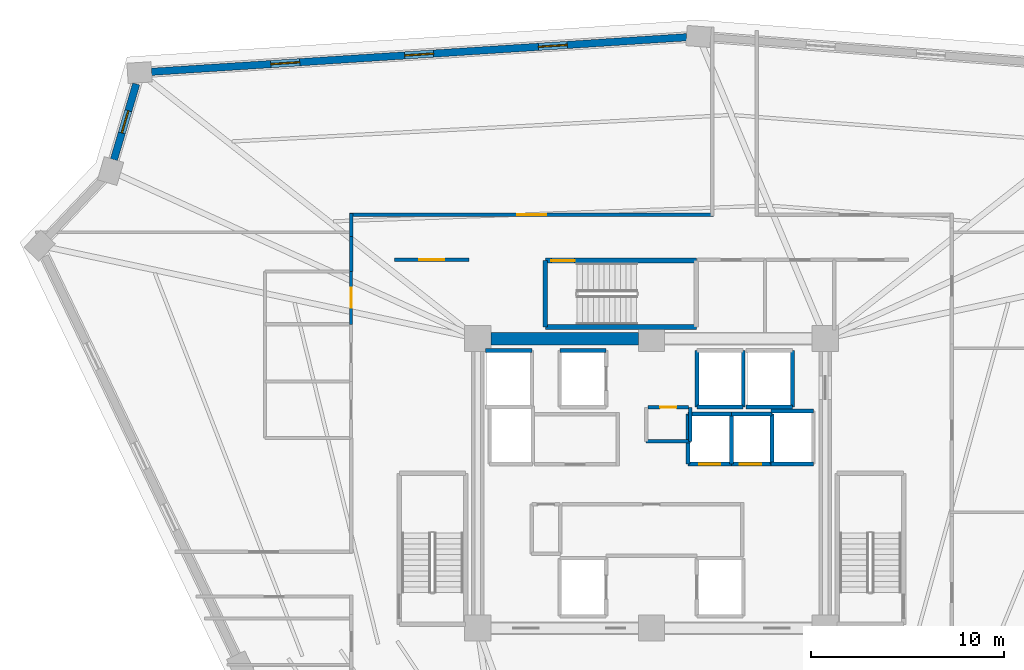
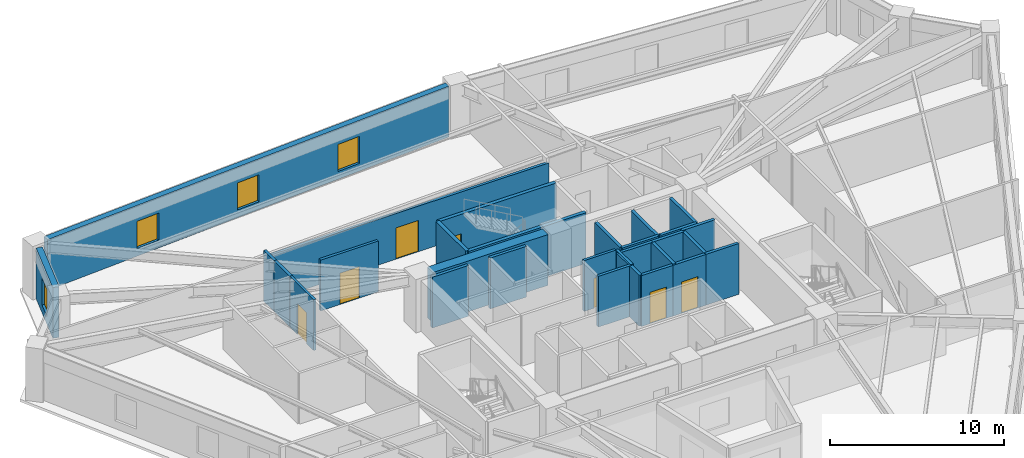
# One storey, part 5 of 9: 30 walls, 7 doors, 4 windows, 11 openings.
"""IFC4 building model written with IfcOpenShell, lengths in metres."""

import ifcopenshell
import ifcopenshell.guid

model = None  # the IFC model being written
_history = None  # IfcOwnerHistory: only IFC2X3 demands one
_inside = {}  # id of a spatial element -> (the spatial element, [elements in it])
_under = {}  # id of a project, library or spatial element -> (it, [spatial elements below it])
_declared = {}  # id of a project -> (the project, [libraries it declares])
_typed = {}  # id of a type object -> (the type object, [elements of that type])
_made_of = {}  # id of a material, layer set ... -> (it, [elements and type objects made of it])


def new_model(schema):
    """Start an empty IFC model of exactly this schema.

    Asked for "IFC4X3", IfcOpenShell would pick the latest addendum, in which some entities
    have other attributes; the version numbers below select the first issue.
    IFC2X3 requires an IfcOwnerHistory on every rooted entity: one is made here for all.
    """
    global model, _history
    if schema == "IFC4X3":
        model = ifcopenshell.file(schema_version=(4, 3, 0, 0))
    else:
        model = ifcopenshell.file(schema=schema)
    _inside.clear()
    _under.clear()
    _declared.clear()
    _typed.clear()
    _made_of.clear()
    _history = None
    if model.schema == "IFC2X3":
        org = make("IfcOrganization", Name="unknown")
        user = make(
            "IfcPersonAndOrganization",
            ThePerson=make("IfcPerson", FamilyName="unknown"),
            TheOrganization=org,
        )
        app = make(
            "IfcApplication",
            ApplicationDeveloper=org,
            Version="unknown",
            ApplicationFullName="unknown",
            ApplicationIdentifier="unknown",
        )
        _history = make(
            "IfcOwnerHistory",
            OwningUser=user,
            OwningApplication=app,
            ChangeAction="ADDED",
            CreationDate=0,
        )
    return model


def make(cls, **values):
    """One entity of the class cls with the attributes given. An attribute that is None is left unset."""
    return model.create_entity(
        cls, **{name: value for name, value in values.items() if value is not None}
    )


def rooted(cls, **values):
    """An entity with a GlobalId (a new one), such as an element, a storey or a relation."""
    return make(cls, GlobalId=ifcopenshell.guid.new(), OwnerHistory=_history, **values)


def si_unit(unit_type, name, prefix=None):
    """IfcSIUnit, for example si_unit("LENGTHUNIT", "METRE", prefix="MILLI")."""
    return make("IfcSIUnit", UnitType=unit_type, Prefix=prefix, Name=name)


def assignment(units):
    """IfcUnitAssignment: the units of a project."""
    return None if units is None else make("IfcUnitAssignment", Units=units)


def point(xyz):
    """IfcCartesianPoint."""
    return None if xyz is None else make("IfcCartesianPoint", Coordinates=xyz)


def direction(xyz):
    """IfcDirection."""
    return None if xyz is None else make("IfcDirection", DirectionRatios=xyz)


def frame(location, z_axis=None, x_axis=None):
    """IfcAxis2Placement3D, a coordinate frame: its origin and axes. An axis left out is left unset."""
    return make(
        "IfcAxis2Placement3D",
        Location=point(location),
        Axis=direction(z_axis),
        RefDirection=direction(x_axis),
    )


def frame_2d(location, x_axis=None):
    """IfcAxis2Placement2D, a coordinate frame in the plane: its origin and x axis."""
    return make(
        "IfcAxis2Placement2D", Location=point(location), RefDirection=direction(x_axis)
    )


def origin():
    """The frame at (0, 0, 0) with its axes left unset."""
    return frame((0.0, 0.0, 0.0))


def place(relative_to, where):
    """IfcLocalPlacement: puts the frame where relative to a parent placement (None: the world)."""
    return make(
        "IfcLocalPlacement", PlacementRelTo=relative_to, RelativePlacement=where
    )


def context(
    kind, dimensions, precision=None, world=None, true_north=None, identifier=None
):
    """IfcGeometricRepresentationContext, for example the 3D "Model" context."""
    return make(
        "IfcGeometricRepresentationContext",
        ContextIdentifier=identifier,
        ContextType=kind,
        CoordinateSpaceDimension=dimensions,
        Precision=precision,
        WorldCoordinateSystem=world,
        TrueNorth=true_north,
    )


def subcontext(parent, identifier, kind, view, scale=None):
    """IfcGeometricRepresentationSubContext, for example "Body" below "Model"."""
    return make(
        "IfcGeometricRepresentationSubContext",
        ContextIdentifier=identifier,
        ContextType=kind,
        ParentContext=parent,
        TargetScale=scale,
        TargetView=view,
    )


def project(units=None, contexts=None):
    """IfcProject with its units and contexts."""
    return rooted(
        "IfcProject",
        Name="project",
        RepresentationContexts=contexts,
        UnitsInContext=assignment(units),
    )


def spatial(cls, under=None, at=None, **own):
    """A site, building, storey or space (cls), placed at a placement, below another one or the project."""
    s = rooted(cls, ObjectPlacement=at, **own)
    if under is not None:
        _under.setdefault(under.id(), (under, []))[1].append(s)
    return s


def profile(cls, at=None, kind="AREA", **sizes):
    """A parametric profile (cls). Its sizes go by their IFC names, for example OverallWidth=200.0."""
    return make(cls, ProfileType=kind, Position=at, **sizes)


def rectangle(**sizes):
    """IfcRectangleProfileDef."""
    return profile("IfcRectangleProfileDef", **sizes)


def extrude(swept, where, along, depth):
    """IfcExtrudedAreaSolid: the profile swept, set in the frame where, extruded along a direction by depth."""
    return make(
        "IfcExtrudedAreaSolid",
        SweptArea=swept,
        Position=where,
        ExtrudedDirection=direction(along),
        Depth=depth,
    )


def shape(context_of_items, identifier, shape_type, items):
    """IfcShapeRepresentation: the items that make up one representation, for example the "Body"."""
    return make(
        "IfcShapeRepresentation",
        ContextOfItems=context_of_items,
        RepresentationIdentifier=identifier,
        RepresentationType=shape_type,
        Items=items,
    )


def source(mapping_origin, context_of_items, identifier, shape_type, items):
    """IfcRepresentationMap: a shape defined once, which mapped items show again and again."""
    return make(
        "IfcRepresentationMap",
        MappingOrigin=mapping_origin,
        MappedRepresentation=shape(context_of_items, identifier, shape_type, items),
    )


def transform(
    local_origin,
    x_axis=None,
    y_axis=None,
    z_axis=None,
    scale=None,
    scale2=None,
    scale3=None,
    uniform=True,
):
    """IfcCartesianTransformationOperator3D, or its non-uniform kind. x_axis, y_axis, z_axis: its Axis1, 2, 3."""
    if uniform:
        return make(
            "IfcCartesianTransformationOperator3D",
            Axis1=direction(x_axis),
            Axis2=direction(y_axis),
            LocalOrigin=point(local_origin),
            Scale=scale,
            Axis3=direction(z_axis),
        )
    return make(
        "IfcCartesianTransformationOperator3DnonUniform",
        Axis1=direction(x_axis),
        Axis2=direction(y_axis),
        LocalOrigin=point(local_origin),
        Scale=scale,
        Axis3=direction(z_axis),
        Scale2=scale2,
        Scale3=scale3,
    )


def mapped(mapping_source, mapping_target):
    """IfcMappedItem: shows the shape of a source again, moved by a transform."""
    return make(
        "IfcMappedItem", MappingSource=mapping_source, MappingTarget=mapping_target
    )


def material(Name=None, Category=None):
    """IfcMaterial."""
    return make("IfcMaterial", Name=Name, Category=Category)


def layer(
    of_material, thickness, ventilated=None, Name=None, Category=None, Priority=None
):
    """IfcMaterialLayer: one layer of a wall or slab, of a material (None: an air gap)."""
    return make(
        "IfcMaterialLayer",
        Material=of_material,
        LayerThickness=thickness,
        IsVentilated=ventilated,
        Name=Name,
        Category=Category,
        Priority=Priority,
    )


def layer_set(layers, Name=None):
    """IfcMaterialLayerSet."""
    return make("IfcMaterialLayerSet", MaterialLayers=layers, LayerSetName=Name)


def made_of(thing, what):
    """Note that an element or type object is made of a material, layer set ...; save() writes the relation."""
    if what is not None:
        _made_of.setdefault(what.id(), (what, []))[1].append(thing)
    return thing


def type_object(cls, material=None, **own):
    """A type object (cls), such as IfcWallType, which elements share."""
    return made_of(rooted(cls, **own), material)


def element(
    cls,
    number,
    at=None,
    inside=None,
    cuts=None,
    type_object=None,
    material=None,
    context=None,
    identifier="Body",
    shape_type=None,
    held_by="IfcProductDefinitionShape",
    body=None,
    shapes=None,
    **own,
):
    """One element of the class cls, such as IfcWall. Its Tag is "e" and its number.

    at: its placement. inside: the storey or other place that contains it. cuts: it is an
    opening in that element (IfcRelVoidsElement). A single representation is given by context,
    identifier, shape_type and body (its items); several are given by shapes. held_by: the class
    of the entity that holds the representations. save() writes the other relations.
    """
    e = rooted(cls, Tag="e%d" % number, ObjectPlacement=at, **own)
    if body is not None:
        shapes = [shape(context, identifier, shape_type, body)]
    if shapes is not None:
        e.Representation = make(held_by, Representations=shapes)
    if inside is not None:
        _inside.setdefault(inside.id(), (inside, []))[1].append(e)
    if cuts is not None:
        rooted(
            "IfcRelVoidsElement", RelatingBuildingElement=cuts, RelatedOpeningElement=e
        )
    if type_object is not None:
        _typed.setdefault(type_object.id(), (type_object, []))[1].append(e)
    return made_of(e, material)


def fill(opening, filler):
    """IfcRelFillsElement: the door or window that sits in an opening."""
    return rooted(
        "IfcRelFillsElement",
        RelatingOpeningElement=opening,
        RelatedBuildingElement=filler,
    )


def aggregate(whole, parts):
    """IfcRelAggregates: a whole, such as a stair, and the parts it consists of."""
    return rooted("IfcRelAggregates", RelatingObject=whole, RelatedObjects=parts)


def save(model, path):
    """Write the relations noted so far, then the file.

    IfcRelAggregates (storeys below a building ...), IfcRelContainedInSpatialStructure (elements
    in a storey), IfcRelDefinesByType, IfcRelAssociatesMaterial and IfcRelDeclares: one each for
    every whole, place, type object, material and project.
    """
    for whole, parts in _under.values():
        aggregate(whole, parts)
    for where, things in _inside.values():
        rooted(
            "IfcRelContainedInSpatialStructure",
            RelatedElements=things,
            RelatingStructure=where,
        )
    for kind, things in _typed.values():
        rooted("IfcRelDefinesByType", RelatedObjects=things, RelatingType=kind)
    for what, things in _made_of.values():
        rooted("IfcRelAssociatesMaterial", RelatedObjects=things, RelatingMaterial=what)
    for by, libraries in _declared.values():
        rooted("IfcRelDeclares", RelatingContext=by, RelatedDefinitions=libraries)
    model.write(path)


model = new_model("IFC4")

# Units and contexts
model_context = context("Model", 3, precision=1e-05, world=origin(), true_north=direction((0.0, 1.0)))
body_context = subcontext(model_context, "Body", "Model", "MODEL_VIEW")
ifc_project = project(units=[si_unit("LENGTHUNIT", "METRE"), si_unit("AREAUNIT", "SQUARE_METRE"), si_unit("VOLUMEUNIT", "CUBIC_METRE"), si_unit("PLANEANGLEUNIT", "RADIAN"), si_unit("MASSUNIT", "GRAM", prefix="KILO")], contexts=[model_context])

# Site, building, storey
site_placement = place(None, origin())
site = spatial("IfcSite", under=ifc_project, at=site_placement, CompositionType="ELEMENT")
building_placement = place(site_placement, origin())
building = spatial("IfcBuilding", under=site, at=building_placement, Name="Liaohun Quay Tower", CompositionType="ELEMENT")
storey_placement = place(building_placement, frame((0.0, 0.0, 258.75)))
storey = spatial("IfcBuildingStorey", under=building, at=storey_placement, Name="L67", CompositionType="ELEMENT", Elevation=258.75)

# Wall
ifc_material_1 = material(Name="Concrete C55", Category="concrete")
ifc_layer_1 = layer(ifc_material_1, 0.64990234375, Name="Concrete C55", Category="concrete")
ifc_layer_set_1 = layer_set([ifc_layer_1], Name="Concrete C55")
wall_type_1 = type_object("IfcWallType", Name="WAL-COR-Z3", PredefinedType="SHEAR", material=ifc_layer_set_1)
wall_1_placement = place(storey_placement, frame((51.675048828125, 61.5, 0.0), z_axis=(0.0, 0.0, 1.0), x_axis=(1.0, 0.0, 0.0)))
element("IfcWall", 1, at=wall_1_placement, inside=storey, type_object=wall_type_1, Name="L67 Central Core Shear Wall N-W", PredefinedType="SHEAR", context=body_context, shape_type="SweptSolid", body=[
    extrude(rectangle(XDim=7.64990234375, YDim=0.64990234375, at=frame_2d((3.824951171875, 0.0))), origin(), (0.0, 0.0, 1.0), 3.570068359375),
])

# Wall, openings, windows
ifc_material_2 = material(Name="Precast concrete C50 insulated sandwich", Category="concrete")
ifc_layer_2 = layer(ifc_material_2, 0.3798828125, Name="Precast concrete C50 insulated sandwich", Category="concrete")
ifc_layer_set_2 = layer_set([ifc_layer_2], Name="Precast concrete C50 insulated sandwich")
wall_type_2 = type_object("IfcWallType", Name="WAL-EXT-Z34", PredefinedType="SOLIDWALL", material=ifc_layer_set_2)
wall_2_placement = place(storey_placement, frame((61.824951171875, 77.10791015625, 0.0), z_axis=(0.0, 0.0, 1.0), x_axis=(-0.997917689191, -0.064500275963, 0.0)))
wall_2 = element("IfcWall", 2, at=wall_2_placement, inside=storey, type_object=wall_type_2, Name="L67 Brutalist Precast Pier Wall 07", PredefinedType="SOLIDWALL", context=body_context, shape_type="SweptSolid", body=[
    extrude(rectangle(XDim=27.78271484375, YDim=0.3798828125, at=frame_2d((13.891357421875, 0.0))), origin(), (0.0, 0.0, 1.0), 3.570068359375),
])
shared_shape_1 = source(origin(), body_context, "Body", "SweptSolid", [
    extrude(rectangle(XDim=1.5, YDim=1.89990234375, at=frame_2d((0.75, 0.949951171875))), frame((0.0, 0.199951171875, 0.0), z_axis=(0.0, -1.0, 0.0), x_axis=(1.0, 0.0, 0.0)), (0.0, 0.0, 1.0), 0.39990234375),
])
opening_1_placement = place(wall_2_placement, frame((6.196044921875, 0.0, 0.550048828125)))
opening_1 = element("IfcOpeningElement", 3, at=opening_1_placement, cuts=wall_2, Name="Opening W03", PredefinedType="OPENING", context=body_context, shape_type="MappedRepresentation", body=[
    mapped(shared_shape_1, transform((0.0, 0.0, 0.0), x_axis=(1.0, 0.0, 0.0), y_axis=(0.0, 1.0, 0.0), z_axis=(0.0, 0.0, 1.0), scale=1.0)),
])
opening_2_placement = place(wall_2_placement, frame((13.14111328125, 0.0, 0.550048828125)))
opening_2 = element("IfcOpeningElement", 4, at=opening_2_placement, cuts=wall_2, Name="Opening W03", PredefinedType="OPENING", context=body_context, shape_type="MappedRepresentation", body=[
    mapped(shared_shape_1, transform((0.0, 0.0, 0.0), x_axis=(1.0, 0.0, 0.0), y_axis=(0.0, 1.0, 0.0), z_axis=(0.0, 0.0, 1.0), scale=1.0)),
])
opening_3_placement = place(wall_2_placement, frame((20.0869140625, 0.0, 0.550048828125)))
opening_3 = element("IfcOpeningElement", 5, at=opening_3_placement, cuts=wall_2, Name="Opening W03", PredefinedType="OPENING", context=body_context, shape_type="MappedRepresentation", body=[
    mapped(shared_shape_1, transform((0.0, 0.0, 0.0), x_axis=(1.0, 0.0, 0.0), y_axis=(0.0, 1.0, 0.0), z_axis=(0.0, 0.0, 1.0), scale=1.0)),
])
ifc_material_3 = material(Name="Triple Low-E argon glazing in thermally broken aluminium", Category="aluminium")
window_type_1 = type_object("IfcWindowType", Name="WIN-PUN-Z3", PartitioningType="DOUBLE_PANEL_VERTICAL", PredefinedType="WINDOW", material=ifc_material_3)
shared_shape_2 = source(origin(), body_context, "Body", "SweptSolid", [
    extrude(rectangle(XDim=1.5, YDim=1.89990234375, at=frame_2d((0.75, 0.949951171875))), frame((0.0, 0.030029296875, 0.0), z_axis=(0.0, -1.0, 0.0), x_axis=(1.0, 0.0, 0.0)), (0.0, 0.0, 1.0), 0.06005859375),
])
window_1_placement = place(opening_1_placement, origin())
window_1 = element("IfcWindow", 6, at=window_1_placement, inside=storey, type_object=window_type_1, Name="L67 Recessed Cold-Climate Punched Window 07-1", OverallHeight=1.89990234375, OverallWidth=1.5, PartitioningType="DOUBLE_PANEL_VERTICAL", PredefinedType="WINDOW", context=body_context, shape_type="MappedRepresentation", body=[
    mapped(shared_shape_2, transform((0.0, 0.0, 0.0), x_axis=(1.0, 0.0, 0.0), y_axis=(0.0, 1.0, 0.0), z_axis=(0.0, 0.0, 1.0), scale=1.0)),
])
fill(opening_1, window_1)
window_2_placement = place(opening_2_placement, origin())
window_2 = element("IfcWindow", 7, at=window_2_placement, inside=storey, type_object=window_type_1, Name="L67 Recessed Cold-Climate Punched Window 07-2", OverallHeight=1.89990234375, OverallWidth=1.5, PartitioningType="DOUBLE_PANEL_VERTICAL", PredefinedType="WINDOW", context=body_context, shape_type="MappedRepresentation", body=[
    mapped(shared_shape_2, transform((0.0, 0.0, 0.0), x_axis=(1.0, 0.0, 0.0), y_axis=(0.0, 1.0, 0.0), z_axis=(0.0, 0.0, 1.0), scale=1.0)),
])
fill(opening_2, window_2)
window_3_placement = place(opening_3_placement, origin())
window_3 = element("IfcWindow", 8, at=window_3_placement, inside=storey, type_object=window_type_1, Name="L67 Recessed Cold-Climate Punched Window 07-3", OverallHeight=1.89990234375, OverallWidth=1.5, PartitioningType="DOUBLE_PANEL_VERTICAL", PredefinedType="WINDOW", context=body_context, shape_type="MappedRepresentation", body=[
    mapped(shared_shape_2, transform((0.0, 0.0, 0.0), x_axis=(1.0, 0.0, 0.0), y_axis=(0.0, 1.0, 0.0), z_axis=(0.0, 0.0, 1.0), scale=1.0)),
])
fill(opening_3, window_3)

# Wall, opening, window
wall_3_placement = place(storey_placement, frame((33.31201171875, 74.68603515625, 0.0), z_axis=(0.0, 0.0, 1.0), x_axis=(-0.282641755903, -0.959225540642, 0.0)))
wall_3 = element("IfcWall", 9, at=wall_3_placement, inside=storey, type_object=wall_type_2, Name="L67 Brutalist Precast Pier Wall 08", PredefinedType="SOLIDWALL", context=body_context, shape_type="SweptSolid", body=[
    extrude(rectangle(XDim=4.086669921875, YDim=0.3798828125, at=frame_2d((2.04345703125, 0.0))), origin(), (0.0, 0.0, 1.0), 3.570068359375),
])
shared_shape_3 = source(origin(), body_context, "Body", "SweptSolid", [
    extrude(rectangle(XDim=1.199951171875, YDim=1.89990234375, at=frame_2d((0.60009765625, 0.949951171875))), frame((0.0, 0.199951171875, 0.0), z_axis=(0.0, -1.0, 0.0), x_axis=(1.0, 0.0, 0.0)), (0.0, 0.0, 1.0), 0.39990234375),
])
opening_4_placement = place(wall_3_placement, frame((1.443115234375, 0.0, 0.550048828125)))
opening_4 = element("IfcOpeningElement", 10, at=opening_4_placement, cuts=wall_3, Name="Opening W05", PredefinedType="OPENING", context=body_context, shape_type="MappedRepresentation", body=[
    mapped(shared_shape_3, transform((0.0, 0.0, 0.0), x_axis=(1.0, 0.0, 0.0), y_axis=(0.0, 1.0, 0.0), z_axis=(0.0, 0.0, 1.0), scale=1.0)),
])
ifc_material_4 = material(Name="Triple Low-E corner notch glazing", Category="glass")
window_type_2 = type_object("IfcWindowType", Name="WIN-NOTCH", PartitioningType="SINGLE_PANEL", PredefinedType="WINDOW", material=ifc_material_4)
shared_shape_4 = source(origin(), body_context, "Body", "SweptSolid", [
    extrude(rectangle(XDim=1.199951171875, YDim=1.89990234375, at=frame_2d((0.60009765625, 0.949951171875))), frame((0.0, 0.030029296875, 0.0), z_axis=(0.0, -1.0, 0.0), x_axis=(1.0, 0.0, 0.0)), (0.0, 0.0, 1.0), 0.06005859375),
])
window_4_placement = place(opening_4_placement, origin())
window_4 = element("IfcWindow", 11, at=window_4_placement, inside=storey, type_object=window_type_2, Name="L67 Corner Notch Window W05-08", OverallHeight=1.89990234375, OverallWidth=1.199951171875, PartitioningType="SINGLE_PANEL", PredefinedType="WINDOW", context=body_context, shape_type="MappedRepresentation", body=[
    mapped(shared_shape_4, transform((0.0, 0.0, 0.0), x_axis=(1.0, 0.0, 0.0), y_axis=(0.0, 1.0, 0.0), z_axis=(0.0, 0.0, 1.0), scale=1.0)),
])
fill(opening_4, window_4)

# Wall, opening, door
ifc_material_5 = material(Name="Autoclaved aerated concrete blockwork", Category="masonry")
ifc_layer_3 = layer(ifc_material_5, 0.179931640625, Name="Autoclaved aerated concrete blockwork", Category="masonry")
ifc_layer_set_3 = layer_set([ifc_layer_3], Name="Autoclaved aerated concrete blockwork")
wall_type_3 = type_object("IfcWallType", Name="WAL-PRT-COR", PredefinedType="PARTITIONING", material=ifc_layer_set_3)
wall_4_placement = place(storey_placement, frame((59.81005859375, 57.949951171875, 0.0), z_axis=(0.0, 0.0, 1.0), x_axis=(1.0, 0.0, 0.0)))
wall_4 = element("IfcWall", 12, at=wall_4_placement, inside=storey, type_object=wall_type_3, Name="L67 Interior Partition Wall 003", PredefinedType="PARTITIONING", context=body_context, shape_type="SweptSolid", body=[
    extrude(rectangle(XDim=2.10986328125, YDim=0.179931640625, at=frame_2d((1.054931640625, 0.0))), origin(), (0.0, 0.0, 1.0), 3.570068359375),
])
shared_shape_5 = source(origin(), body_context, "Body", "SweptSolid", [
    extrude(rectangle(XDim=0.85009765625, YDim=2.10009765625, at=frame_2d((0.425048828125, 1.050048828125))), frame((0.0, 0.099853515625, 0.0), z_axis=(0.0, -1.0, 0.0), x_axis=(1.0, 0.0, 0.0)), (0.0, 0.0, 1.0), 0.199951171875),
])
opening_5_placement = place(wall_4_placement, frame((0.635009765625, 0.0, 0.0)))
opening_5 = element("IfcOpeningElement", 13, at=opening_5_placement, cuts=wall_4, Name="Opening AD1", PredefinedType="OPENING", context=body_context, shape_type="MappedRepresentation", body=[
    mapped(shared_shape_5, transform((0.0, 0.0, 0.0), x_axis=(1.0, 0.0, 0.0), y_axis=(0.0, 1.0, 0.0), z_axis=(0.0, 0.0, 1.0), scale=1.0)),
])
ifc_material_6 = material(Name="Steel riser inspection fire door", Category="steel")
door_type_1 = type_object("IfcDoorType", Name="DOR-SHF-850", OperationType="NOTDEFINED", PredefinedType="DOOR", material=ifc_material_6)
shared_shape_6 = source(origin(), body_context, "Body", "SweptSolid", [
    extrude(rectangle(XDim=0.85009765625, YDim=2.10009765625, at=frame_2d((0.425048828125, 1.050048828125))), frame((0.0, 0.02490234375, 0.0), z_axis=(0.0, -1.0, 0.0), x_axis=(1.0, 0.0, 0.0)), (0.0, 0.0, 1.0), 0.050048828125),
])
door_1_placement = place(opening_5_placement, origin())
door_1 = element("IfcDoor", 14, at=door_1_placement, inside=storey, type_object=door_type_1, Name="L67 Core Janitor and Cleaner Store Door", OperationType="SINGLE_SWING_LEFT", OverallHeight=2.10009765625, OverallWidth=0.85009765625, PredefinedType="DOOR", context=body_context, shape_type="MappedRepresentation", body=[
    mapped(shared_shape_6, transform((0.0, 0.0, 0.0), x_axis=(1.0, 0.0, 0.0), y_axis=(0.0, 1.0, 0.0), z_axis=(0.0, 0.0, 1.0), scale=1.0)),
])
fill(opening_5, door_1)

wall_5_placement = place(storey_placement, frame((46.699951171875, 65.580078125, 0.0), z_axis=(0.0, 0.0, 1.0), x_axis=(1.0, 0.0, 0.0)))
wall_5 = element("IfcWall", 15, at=wall_5_placement, inside=storey, type_object=wall_type_3, Name="L67 Interior Partition Wall 010", PredefinedType="PARTITIONING", context=body_context, shape_type="SweptSolid", body=[
    extrude(rectangle(XDim=3.840087890625, YDim=0.179931640625, at=frame_2d((1.919921875, 0.0))), origin(), (0.0, 0.0, 1.0), 3.570068359375),
])
shared_shape_7 = source(origin(), body_context, "Body", "SweptSolid", [
    extrude(rectangle(XDim=1.300048828125, YDim=2.199951171875, at=frame_2d((0.64990234375, 1.10009765625))), frame((0.0, 0.099853515625, 0.0), z_axis=(0.0, -1.0, 0.0), x_axis=(1.0, 0.0, 0.0)), (0.0, 0.0, 1.0), 0.199951171875),
])
opening_6_placement = place(wall_5_placement, frame((1.27001953125, 0.0, 0.0)))
opening_6 = element("IfcOpeningElement", 16, at=opening_6_placement, cuts=wall_5, Name="Opening FD1", PredefinedType="OPENING", context=body_context, shape_type="MappedRepresentation", body=[
    mapped(shared_shape_7, transform((0.0, 0.0, 0.0), x_axis=(1.0, 0.0, 0.0), y_axis=(0.0, 1.0, 0.0), z_axis=(0.0, 0.0, 1.0), scale=1.0)),
])
ifc_material_7 = material(Name="Galvanised steel smokeproof fire door", Category="steel")
door_type_2 = type_object("IfcDoorType", Name="DOR-FFL-1300", OperationType="NOTDEFINED", PredefinedType="DOOR", material=ifc_material_7)
shared_shape_8 = source(origin(), body_context, "Body", "SweptSolid", [
    extrude(rectangle(XDim=1.300048828125, YDim=2.199951171875, at=frame_2d((0.64990234375, 1.10009765625))), frame((0.0, 0.02490234375, 0.0), z_axis=(0.0, -1.0, 0.0), x_axis=(1.0, 0.0, 0.0)), (0.0, 0.0, 1.0), 0.050048828125),
])
door_2_placement = place(opening_6_placement, origin())
door_2 = element("IfcDoor", 17, at=door_2_placement, inside=storey, type_object=door_type_2, Name="L67 West Core Vestibule Door", OperationType="SINGLE_SWING_RIGHT", OverallHeight=2.199951171875, OverallWidth=1.300048828125, PredefinedType="DOOR", context=body_context, shape_type="MappedRepresentation", body=[
    mapped(shared_shape_8, transform((0.0, 0.0, 0.0), x_axis=(1.0, 0.0, 0.0), y_axis=(0.0, 1.0, 0.0), z_axis=(0.0, 0.0, 1.0), scale=1.0)),
])
fill(opening_6, door_2)

wall_6_placement = place(storey_placement, frame((44.3701171875, 67.909912109375, 0.0), z_axis=(0.0, 0.0, 1.0), x_axis=(1.0, 0.0, 0.0)))
wall_6 = element("IfcWall", 18, at=wall_6_placement, inside=storey, type_object=wall_type_3, Name="L67 Interior Partition Wall 015", PredefinedType="PARTITIONING", context=body_context, shape_type="SweptSolid", body=[
    extrude(rectangle(XDim=18.83984375, YDim=0.179931640625, at=frame_2d((9.419921875, 0.0))), origin(), (0.0, 0.0, 1.0), 3.205078125),
])
shared_shape_9 = source(origin(), body_context, "Body", "SweptSolid", [
    extrude(rectangle(XDim=1.5, YDim=2.199951171875, at=frame_2d((0.75, 1.10009765625))), frame((0.0, 0.099853515625, 0.0), z_axis=(0.0, -1.0, 0.0), x_axis=(1.0, 0.0, 0.0)), (0.0, 0.0, 1.0), 0.199951171875),
])
opening_7_placement = place(wall_6_placement, frame((8.669921875, 0.0, 0.0)))
opening_7 = element("IfcOpeningElement", 19, at=opening_7_placement, cuts=wall_6, Name="Opening OD2", PredefinedType="OPENING", context=body_context, shape_type="MappedRepresentation", body=[
    mapped(shared_shape_9, transform((0.0, 0.0, 0.0), x_axis=(1.0, 0.0, 0.0), y_axis=(0.0, 1.0, 0.0), z_axis=(0.0, 0.0, 1.0), scale=1.0)),
])
ifc_material_8 = material(Name="Acoustic oak veneer double door")
door_type_3 = type_object("IfcDoorType", Name="DOR-OFF-1500", OperationType="DOUBLE_DOOR_SINGLE_SWING", PredefinedType="DOOR", material=ifc_material_8)
shared_shape_10 = source(origin(), body_context, "Body", "SweptSolid", [
    extrude(rectangle(XDim=1.5, YDim=2.199951171875, at=frame_2d((0.75, 1.10009765625))), frame((0.0, 0.02490234375, 0.0), z_axis=(0.0, -1.0, 0.0), x_axis=(1.0, 0.0, 0.0)), (0.0, 0.0, 1.0), 0.050048828125),
])
door_3_placement = place(opening_7_placement, origin())
door_3 = element("IfcDoor", 20, at=door_3_placement, inside=storey, type_object=door_type_3, Name="L67 Project Collaboration Studio 04 Door", OperationType="DOUBLE_DOOR_SINGLE_SWING", OverallHeight=2.199951171875, OverallWidth=1.5, PredefinedType="DOOR", context=body_context, shape_type="MappedRepresentation", body=[
    mapped(shared_shape_10, transform((0.0, 0.0, 0.0), x_axis=(1.0, 0.0, 0.0), y_axis=(0.0, 1.0, 0.0), z_axis=(0.0, 0.0, 1.0), scale=1.0)),
])
fill(opening_7, door_3)

# Walls
wall_7_placement = place(storey_placement, frame((62.010009765625, 56.179931640625, 0.0), z_axis=(0.0, 0.0, 1.0), x_axis=(0.0, 1.0, 0.0)))
element("IfcWall", 21, at=wall_7_placement, inside=storey, type_object=wall_type_3, Name="L67 Interior Partition Wall 022", PredefinedType="PARTITIONING", context=body_context, shape_type="SweptSolid", body=[
    extrude(rectangle(XDim=1.739990234375, YDim=0.179931640625, at=frame_2d((0.8701171875, 0.0))), origin(), (0.0, 0.0, 1.0), 3.570068359375),
])
wall_8_placement = place(storey_placement, frame((59.719970703125, 56.179931640625, 0.0), z_axis=(0.0, 0.0, 1.0), x_axis=(1.0, 0.0, 0.0)))
element("IfcWall", 22, at=wall_8_placement, inside=storey, type_object=wall_type_3, Name="L67 Interior Partition Wall 023", PredefinedType="PARTITIONING", context=body_context, shape_type="SweptSolid", body=[
    extrude(rectangle(XDim=2.2900390625, YDim=0.179931640625, at=frame_2d((1.14501953125, 0.0))), origin(), (0.0, 0.0, 1.0), 3.570068359375),
])
wall_9_placement = place(storey_placement, frame((44.43994140625, 66.784912109375, 0.0), z_axis=(0.0, 0.0, 1.0), x_axis=(0.0, 1.0, 0.0)))
element("IfcWall", 23, at=wall_9_placement, inside=storey, type_object=wall_type_3, Name="L67 Interior Partition Wall 037", PredefinedType="PARTITIONING", context=body_context, shape_type="SweptSolid", body=[
    extrude(rectangle(XDim=1.195068359375, YDim=0.179931640625, at=frame_2d((0.59765625, 0.0))), origin(), (0.0, 0.0, 1.0), 3.570068359375),
])
wall_10_placement = place(storey_placement, frame((44.43994140625, 64.97998046875, 0.0), z_axis=(0.0, 0.0, 1.0), x_axis=(0.0, 1.0, 0.0)))
element("IfcWall", 24, at=wall_10_placement, inside=storey, type_object=wall_type_3, Name="L67 Interior Partition Wall 039", PredefinedType="PARTITIONING", context=body_context, shape_type="SweptSolid", body=[
    extrude(rectangle(XDim=1.804931640625, YDim=0.179931640625, at=frame_2d((0.90234375, 0.0))), origin(), (0.0, 0.0, 1.0), 3.570068359375),
])

# Wall, opening, door
ifc_material_9 = material(Name="Moisture-resistant masonry blockwork", Category="masonry")
ifc_layer_4 = layer(ifc_material_9, 0.159912109375, Name="Moisture-resistant masonry blockwork", Category="masonry")
ifc_layer_set_4 = layer_set([ifc_layer_4], Name="Moisture-resistant masonry blockwork")
wall_type_4 = type_object("IfcWallType", Name="WAL-PRT-WET", PredefinedType="PARTITIONING", material=ifc_layer_set_4)
wall_11_placement = place(storey_placement, frame((44.43994140625, 62.239990234375, 0.0), z_axis=(0.0, 0.0, 1.0), x_axis=(0.0, 1.0, 0.0)))
wall_11 = element("IfcWall", 25, at=wall_11_placement, inside=storey, type_object=wall_type_4, Name="L67 Interior Partition Wall 007", PredefinedType="PARTITIONING", context=body_context, shape_type="SweptSolid", body=[
    extrude(rectangle(XDim=2.739990234375, YDim=0.159912109375, at=frame_2d((1.3701171875, 0.0))), origin(), (0.0, 0.0, 1.0), 3.570068359375),
])
shared_shape_11 = source(origin(), body_context, "Body", "SweptSolid", [
    extrude(rectangle(XDim=1.050048828125, YDim=2.14990234375, at=frame_2d((0.52490234375, 1.074951171875))), frame((0.0, 0.08984375, 0.0), z_axis=(0.0, -1.0, 0.0), x_axis=(1.0, 0.0, 0.0)), (0.0, 0.0, 1.0), 0.179931640625),
])
opening_8_placement = place(wall_11_placement, frame((0.844970703125, 0.0, 0.0)))
opening_8 = element("IfcOpeningElement", 26, at=opening_8_placement, cuts=wall_11, Name="Opening WD2", PredefinedType="OPENING", context=body_context, shape_type="MappedRepresentation", body=[
    mapped(shared_shape_11, transform((0.0, 0.0, 0.0), x_axis=(1.0, 0.0, 0.0), y_axis=(0.0, 1.0, 0.0), z_axis=(0.0, 0.0, 1.0), scale=1.0)),
])
ifc_material_10 = material(Name="Accessible outward-swinging laminate door")
door_type_4 = type_object("IfcDoorType", Name="DOR-AWC-1050", OperationType="NOTDEFINED", PredefinedType="DOOR", material=ifc_material_10)
shared_shape_12 = source(origin(), body_context, "Body", "SweptSolid", [
    extrude(rectangle(XDim=1.050048828125, YDim=2.14990234375, at=frame_2d((0.52490234375, 1.074951171875))), frame((0.0, 0.02490234375, 0.0), z_axis=(0.0, -1.0, 0.0), x_axis=(1.0, 0.0, 0.0)), (0.0, 0.0, 1.0), 0.050048828125),
])
door_4_placement = place(opening_8_placement, origin())
door_4 = element("IfcDoor", 27, at=door_4_placement, inside=storey, type_object=door_type_4, Name="L67 Accessible WC Door", OperationType="SINGLE_SWING_LEFT", OverallHeight=2.14990234375, OverallWidth=1.050048828125, PredefinedType="DOOR", context=body_context, shape_type="MappedRepresentation", body=[
    mapped(shared_shape_12, transform((0.0, 0.0, 0.0), x_axis=(1.0, 0.0, 0.0), y_axis=(0.0, 1.0, 0.0), z_axis=(0.0, 0.0, 1.0), scale=1.0)),
])
fill(opening_8, door_4)

# Wall
ifc_material_11 = material(Name="Concrete C50", Category="concrete")
ifc_layer_5 = layer(ifc_material_11, 0.239990234375, Name="Concrete C50", Category="concrete")
ifc_layer_set_5 = layer_set([ifc_layer_5], Name="Concrete C50")
wall_type_5 = type_object("IfcWallType", Name="WAL-SHF-200", PredefinedType="SOLIDWALL", material=ifc_layer_set_5)
wall_12_placement = place(storey_placement, frame((54.5, 62.10009765625, 0.0), z_axis=(0.0, 0.0, 1.0), x_axis=(1.0, 0.0, 0.0)))
element("IfcWall", 28, at=wall_12_placement, inside=storey, type_object=wall_type_5, Name="L67 Stairwell ST-3 Structural Core Wall S", PredefinedType="SOLIDWALL", context=body_context, shape_type="SweptSolid", body=[
    extrude(rectangle(XDim=7.820068359375, YDim=0.239990234375, at=frame_2d((3.91015625, 0.0))), origin(), (0.0, 0.0, 1.0), 3.570068359375),
])

# Wall, opening, door
wall_13_placement = place(storey_placement, frame((62.320068359375, 65.5400390625, 0.0), z_axis=(0.0, 0.0, 1.0), x_axis=(-1.0, 0.0, 0.0)))
wall_13 = element("IfcWall", 29, at=wall_13_placement, inside=storey, type_object=wall_type_5, Name="L67 Stairwell ST-3 Structural Core Wall N", PredefinedType="SOLIDWALL", context=body_context, shape_type="SweptSolid", body=[
    extrude(rectangle(XDim=7.820068359375, YDim=0.239990234375, at=frame_2d((3.91015625, 0.0))), origin(), (0.0, 0.0, 1.0), 3.570068359375),
])
shared_shape_13 = source(origin(), body_context, "Body", "SweptSolid", [
    extrude(rectangle(XDim=1.199951171875, YDim=2.199951171875, at=frame_2d((0.60009765625, 1.10009765625))), frame((0.0, 0.1298828125, 0.0), z_axis=(0.0, -1.0, 0.0), x_axis=(1.0, 0.0, 0.0)), (0.0, 0.0, 1.0), 0.260009765625),
])
opening_9_placement = place(wall_13_placement, frame((6.300048828125, 0.0, 0.0)))
opening_9 = element("IfcOpeningElement", 30, at=opening_9_placement, cuts=wall_13, Name="Opening SD1", PredefinedType="OPENING", context=body_context, shape_type="MappedRepresentation", body=[
    mapped(shared_shape_13, transform((0.0, 0.0, 0.0), x_axis=(1.0, 0.0, 0.0), y_axis=(0.0, 1.0, 0.0), z_axis=(0.0, 0.0, 1.0), scale=1.0)),
])
ifc_material_12 = material(Name="Galvanised steel fire door", Category="steel")
door_type_5 = type_object("IfcDoorType", Name="DOR-STR-1200", OperationType="NOTDEFINED", PredefinedType="DOOR", material=ifc_material_12)
shared_shape_14 = source(origin(), body_context, "Body", "SweptSolid", [
    extrude(rectangle(XDim=1.199951171875, YDim=2.199951171875, at=frame_2d((0.60009765625, 1.10009765625))), frame((0.0, 0.02490234375, 0.0), z_axis=(0.0, -1.0, 0.0), x_axis=(1.0, 0.0, 0.0)), (0.0, 0.0, 1.0), 0.050048828125),
])
door_5_placement = place(opening_9_placement, origin())
door_5 = element("IfcDoor", 31, at=door_5_placement, inside=storey, type_object=door_type_5, Name="L67 Protected Stair ST-3 Fire Door", OperationType="SINGLE_SWING_RIGHT", OverallHeight=2.199951171875, OverallWidth=1.199951171875, PredefinedType="DOOR", context=body_context, shape_type="MappedRepresentation", body=[
    mapped(shared_shape_14, transform((0.0, 0.0, 0.0), x_axis=(1.0, 0.0, 0.0), y_axis=(0.0, 1.0, 0.0), z_axis=(0.0, 0.0, 1.0), scale=1.0)),
])
fill(opening_9, door_5)

# Walls
wall_14_placement = place(storey_placement, frame((54.5, 65.5400390625, 0.0), z_axis=(0.0, 0.0, 1.0), x_axis=(0.0, -1.0, 0.0)))
element("IfcWall", 32, at=wall_14_placement, inside=storey, type_object=wall_type_5, Name="L67 Stairwell ST-3 Structural Core Wall W", PredefinedType="SOLIDWALL", context=body_context, shape_type="SweptSolid", body=[
    extrude(rectangle(XDim=3.43994140625, YDim=0.239990234375, at=frame_2d((1.719970703125, 0.0))), origin(), (0.0, 0.0, 1.0), 3.570068359375),
])
for number, where, z_axis, x_axis, name in (
    (33, (57.64990234375, 60.8798828125, 0.0), (0.0, 0.0, 1.0), (-1.0, 0.0, 0.0), "L67 Lift FF-03 Hoistway Wall N"),
    (34, (62.35009765625, 57.949951171875, 0.0), (0.0, 0.0, 1.0), (1.0, 0.0, 0.0), "L67 Lift OB-01 Hoistway Wall S"),
):
    element("IfcWall", number, at=place(storey_placement, frame(where, z_axis=z_axis, x_axis=x_axis)), inside=storey, type_object=wall_type_5, Name=name, PredefinedType="SOLIDWALL", context=body_context, shape_type="SweptSolid", body=[
        extrude(rectangle(XDim=2.39990234375, YDim=0.199951171875, at=frame_2d((1.199951171875, 0.0))), origin(), (0.0, 0.0, 1.0), 3.570068359375),
    ])
for number, where, z_axis, x_axis, name in (
    (35, (64.75, 57.949951171875, 0.0), (0.0, 0.0, 1.0), (0.0, 1.0, 0.0), "L67 Lift OB-01 Hoistway Wall E"),
    (36, (62.35009765625, 60.8798828125, 0.0), (0.0, 0.0, 1.0), (0.0, -1.0, 0.0), "L67 Lift OB-01 Hoistway Wall W"),
):
    element("IfcWall", number, at=place(storey_placement, frame(where, z_axis=z_axis, x_axis=x_axis)), inside=storey, type_object=wall_type_5, Name=name, PredefinedType="SOLIDWALL", context=body_context, shape_type="SweptSolid", body=[
        extrude(rectangle(XDim=2.929931640625, YDim=0.199951171875, at=frame_2d((1.46484375, 0.0))), origin(), (0.0, 0.0, 1.0), 3.570068359375),
    ])
wall_15_placement = place(storey_placement, frame((64.89990234375, 57.949951171875, 0.0), z_axis=(0.0, 0.0, 1.0), x_axis=(1.0, 0.0, 0.0)))
element("IfcWall", 37, at=wall_15_placement, inside=storey, type_object=wall_type_5, Name="L67 Lift OB-02 Hoistway Wall S", PredefinedType="SOLIDWALL", context=body_context, shape_type="SweptSolid", body=[
    extrude(rectangle(XDim=2.400146484375, YDim=0.199951171875, at=frame_2d((1.2001953125, 0.0))), origin(), (0.0, 0.0, 1.0), 3.570068359375),
])
wall_16_placement = place(storey_placement, frame((67.300048828125, 57.949951171875, 0.0), z_axis=(0.0, 0.0, 1.0), x_axis=(0.0, 1.0, 0.0)))
element("IfcWall", 38, at=wall_16_placement, inside=storey, type_object=wall_type_5, Name="L67 Lift OB-02 Hoistway Wall E", PredefinedType="SOLIDWALL", context=body_context, shape_type="SweptSolid", body=[
    extrude(rectangle(XDim=2.929931640625, YDim=0.199951171875, at=frame_2d((1.46484375, 0.0))), origin(), (0.0, 0.0, 1.0), 3.570068359375),
])
wall_17_placement = place(storey_placement, frame((53.800048828125, 60.8798828125, 0.0), z_axis=(0.0, 0.0, 1.0), x_axis=(-1.0, 0.0, 0.0)))
element("IfcWall", 39, at=wall_17_placement, inside=storey, type_object=wall_type_5, Name="L67 Lift SH-01 Hoistway Wall N", PredefinedType="SOLIDWALL", context=body_context, shape_type="SweptSolid", body=[
    extrude(rectangle(XDim=2.400146484375, YDim=0.199951171875, at=frame_2d((1.2001953125, 0.0))), origin(), (0.0, 0.0, 1.0), 3.570068359375),
])
for number, where, z_axis, x_axis, name in (
    (40, (66.199951171875, 55.0, 0.0), (0.0, 0.0, 1.0), (1.0, 0.0, 0.0), "L67 Lift SH-03 Hoistway Wall S"),
    (41, (68.3798828125, 57.75, 0.0), (0.0, 0.0, 1.0), (-1.0, 0.0, 0.0), "L67 Lift SH-03 Hoistway Wall N"),
):
    element("IfcWall", number, at=place(storey_placement, frame(where, z_axis=z_axis, x_axis=x_axis)), inside=storey, type_object=wall_type_5, Name=name, PredefinedType="SOLIDWALL", context=body_context, shape_type="SweptSolid", body=[
        extrude(rectangle(XDim=2.179931640625, YDim=0.199951171875, at=frame_2d((1.08984375, 0.0))), origin(), (0.0, 0.0, 1.0), 3.570068359375),
    ])

# Wall, opening, door
wall_18_placement = place(storey_placement, frame((61.89990234375, 55.0, 0.0), z_axis=(0.0, 0.0, 1.0), x_axis=(1.0, 0.0, 0.0)))
wall_18 = element("IfcWall", 42, at=wall_18_placement, inside=storey, type_object=wall_type_5, Name="L67 Lift PL-3A Hoistway Wall S", PredefinedType="SOLIDWALL", context=body_context, shape_type="SweptSolid", body=[
    extrude(rectangle(XDim=2.25, YDim=0.199951171875, at=frame_2d((1.125, 0.0))), origin(), (0.0, 0.0, 1.0), 3.570068359375),
])
shared_shape_15 = source(origin(), body_context, "Body", "SweptSolid", [
    extrude(rectangle(XDim=1.10009765625, YDim=2.199951171875, at=frame_2d((0.550048828125, 1.10009765625))), frame((0.0, 0.10986328125, 0.0), z_axis=(0.0, -1.0, 0.0), x_axis=(1.0, 0.0, 0.0)), (0.0, 0.0, 1.0), 0.219970703125),
])
opening_10_placement = place(wall_18_placement, frame((0.574951171875, 0.0, 0.0)))
opening_10 = element("IfcOpeningElement", 43, at=opening_10_placement, cuts=wall_18, Name="Opening LD1", PredefinedType="OPENING", context=body_context, shape_type="MappedRepresentation", body=[
    mapped(shared_shape_15, transform((0.0, 0.0, 0.0), x_axis=(1.0, 0.0, 0.0), y_axis=(0.0, 1.0, 0.0), z_axis=(0.0, 0.0, 1.0), scale=1.0)),
])
ifc_material_13 = material(Name="Brushed stainless steel landing door", Category="steel")
door_type_6 = type_object("IfcDoorType", Name="DOR-LFT-1100", OperationType="SLIDING_TO_LEFT", PredefinedType="DOOR", material=ifc_material_13)
shared_shape_16 = source(origin(), body_context, "Body", "SweptSolid", [
    extrude(rectangle(XDim=1.10009765625, YDim=2.199951171875, at=frame_2d((0.550048828125, 1.10009765625))), frame((0.0, 0.02490234375, 0.0), z_axis=(0.0, -1.0, 0.0), x_axis=(1.0, 0.0, 0.0)), (0.0, 0.0, 1.0), 0.050048828125),
])
door_6_placement = place(opening_10_placement, origin())
door_6 = element("IfcDoor", 44, at=door_6_placement, inside=storey, type_object=door_type_6, Name="L67 Lift PL-3A Sliding Landing Door", OperationType="SLIDING_TO_LEFT", OverallHeight=2.199951171875, OverallWidth=1.10009765625, PredefinedType="DOOR", context=body_context, shape_type="MappedRepresentation", body=[
    mapped(shared_shape_16, transform((0.0, 0.0, 0.0), x_axis=(1.0, 0.0, 0.0), y_axis=(0.0, 1.0, 0.0), z_axis=(0.0, 0.0, 1.0), scale=1.0)),
])
fill(opening_10, door_6)

# Walls
wall_19_placement = place(storey_placement, frame((64.14990234375, 55.0, 0.0), z_axis=(0.0, 0.0, 1.0), x_axis=(0.0, 1.0, 0.0)))
element("IfcWall", 45, at=wall_19_placement, inside=storey, type_object=wall_type_5, Name="L67 Lift PL-3A Hoistway Wall E", PredefinedType="SOLIDWALL", context=body_context, shape_type="SweptSolid", body=[
    extrude(rectangle(XDim=2.60009765625, YDim=0.199951171875, at=frame_2d((1.300048828125, 0.0))), origin(), (0.0, 0.0, 1.0), 3.570068359375),
])
wall_20_placement = place(storey_placement, frame((64.14990234375, 57.60009765625, 0.0), z_axis=(0.0, 0.0, 1.0), x_axis=(-1.0, 0.0, 0.0)))
element("IfcWall", 46, at=wall_20_placement, inside=storey, type_object=wall_type_5, Name="L67 Lift PL-3A Hoistway Wall N", PredefinedType="SOLIDWALL", context=body_context, shape_type="SweptSolid", body=[
    extrude(rectangle(XDim=2.25, YDim=0.199951171875, at=frame_2d((1.125, 0.0))), origin(), (0.0, 0.0, 1.0), 3.570068359375),
])
wall_21_placement = place(storey_placement, frame((61.89990234375, 57.60009765625, 0.0), z_axis=(0.0, 0.0, 1.0), x_axis=(0.0, -1.0, 0.0)))
element("IfcWall", 47, at=wall_21_placement, inside=storey, type_object=wall_type_5, Name="L67 Lift PL-3A Hoistway Wall W", PredefinedType="SOLIDWALL", context=body_context, shape_type="SweptSolid", body=[
    extrude(rectangle(XDim=2.60009765625, YDim=0.199951171875, at=frame_2d((1.300048828125, 0.0))), origin(), (0.0, 0.0, 1.0), 3.570068359375),
])

# Wall, opening, door
wall_22_placement = place(storey_placement, frame((64.0, 55.0, 0.0), z_axis=(0.0, 0.0, 1.0), x_axis=(1.0, 0.0, 0.0)))
wall_22 = element("IfcWall", 48, at=wall_22_placement, inside=storey, type_object=wall_type_5, Name="L67 Lift PL-3B Hoistway Wall S", PredefinedType="SOLIDWALL", context=body_context, shape_type="SweptSolid", body=[
    extrude(rectangle(XDim=2.25, YDim=0.199951171875, at=frame_2d((1.125, 0.0))), origin(), (0.0, 0.0, 1.0), 3.570068359375),
])
opening_11_placement = place(wall_22_placement, frame((0.574951171875, 0.0, 0.0)))
opening_11 = element("IfcOpeningElement", 49, at=opening_11_placement, cuts=wall_22, Name="Opening LD1", PredefinedType="OPENING", context=body_context, shape_type="MappedRepresentation", body=[
    mapped(shared_shape_15, transform((0.0, 0.0, 0.0), x_axis=(1.0, 0.0, 0.0), y_axis=(0.0, 1.0, 0.0), z_axis=(0.0, 0.0, 1.0), scale=1.0)),
])
door_7_placement = place(opening_11_placement, origin())
door_7 = element("IfcDoor", 50, at=door_7_placement, inside=storey, type_object=door_type_6, Name="L67 Lift PL-3B Sliding Landing Door", OperationType="SLIDING_TO_LEFT", OverallHeight=2.199951171875, OverallWidth=1.10009765625, PredefinedType="DOOR", context=body_context, shape_type="MappedRepresentation", body=[
    mapped(shared_shape_16, transform((0.0, 0.0, 0.0), x_axis=(1.0, 0.0, 0.0), y_axis=(0.0, 1.0, 0.0), z_axis=(0.0, 0.0, 1.0), scale=1.0)),
])
fill(opening_11, door_7)

# Walls
wall_23_placement = place(storey_placement, frame((66.25, 55.0, 0.0), z_axis=(0.0, 0.0, 1.0), x_axis=(0.0, 1.0, 0.0)))
element("IfcWall", 51, at=wall_23_placement, inside=storey, type_object=wall_type_5, Name="L67 Lift PL-3B Hoistway Wall E", PredefinedType="SOLIDWALL", context=body_context, shape_type="SweptSolid", body=[
    extrude(rectangle(XDim=2.60009765625, YDim=0.199951171875, at=frame_2d((1.300048828125, 0.0))), origin(), (0.0, 0.0, 1.0), 3.570068359375),
])
wall_24_placement = place(storey_placement, frame((66.25, 57.60009765625, 0.0), z_axis=(0.0, 0.0, 1.0), x_axis=(-1.0, 0.0, 0.0)))
element("IfcWall", 52, at=wall_24_placement, inside=storey, type_object=wall_type_5, Name="L67 Lift PL-3B Hoistway Wall N", PredefinedType="SOLIDWALL", context=body_context, shape_type="SweptSolid", body=[
    extrude(rectangle(XDim=2.25, YDim=0.199951171875, at=frame_2d((1.125, 0.0))), origin(), (0.0, 0.0, 1.0), 3.570068359375),
])

save(model, "model.ifc")
